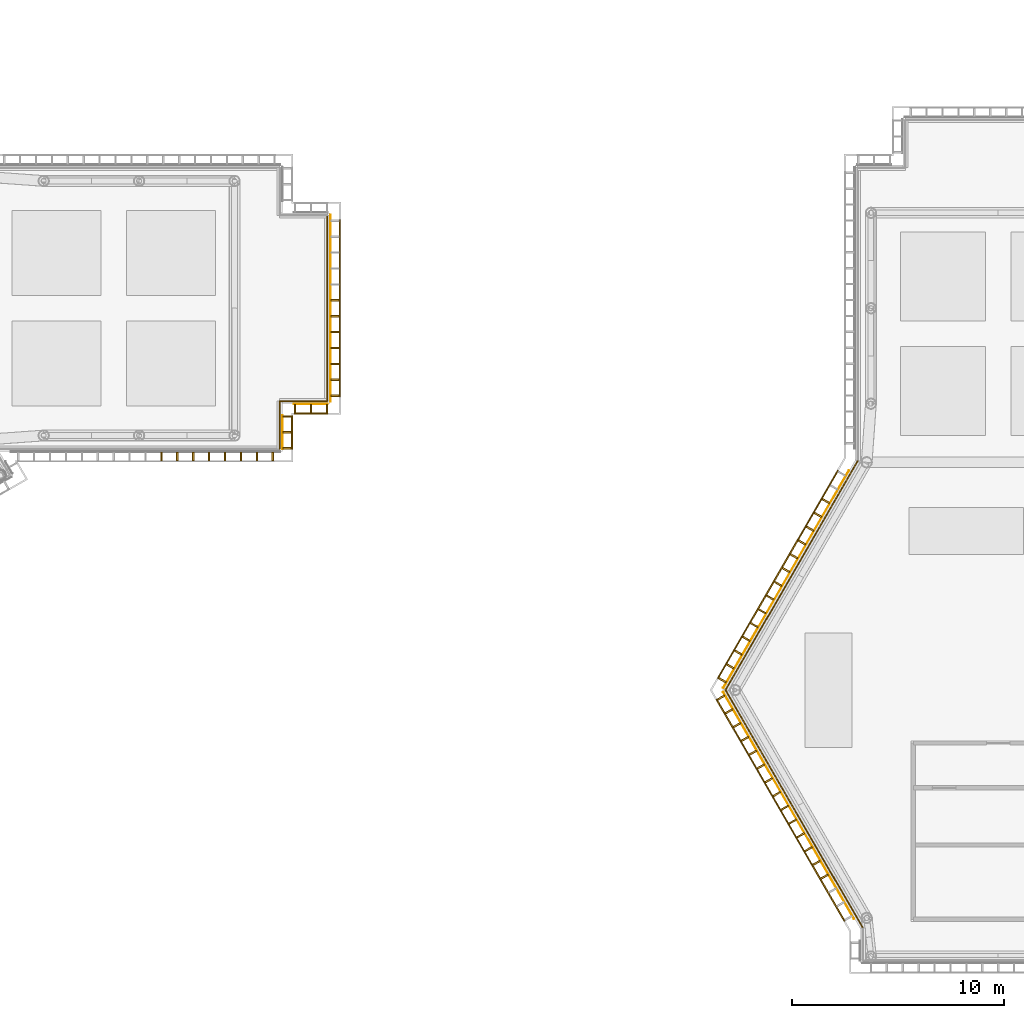
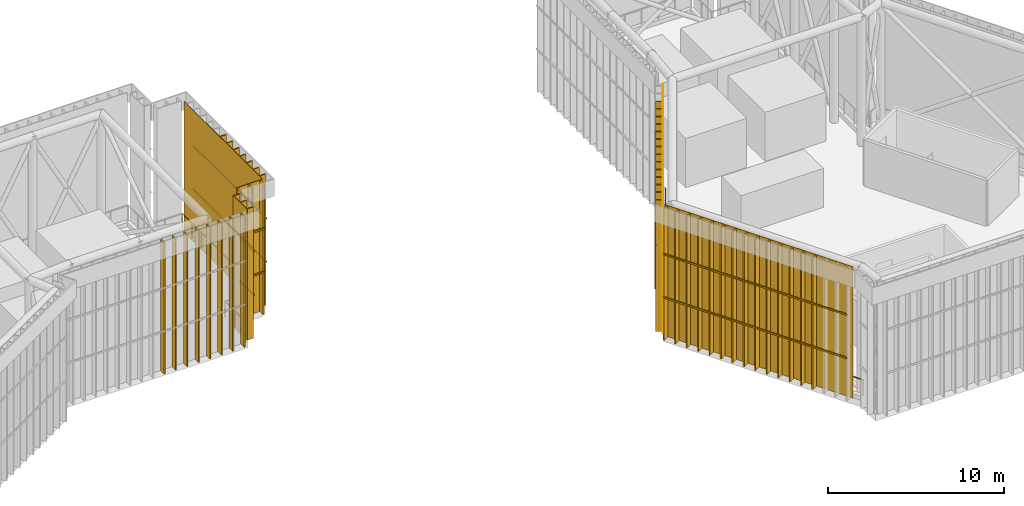
# One storey, part 11 of 17: 64 coverings, 5 railings.
"""IFC4 building model written with IfcOpenShell, lengths in metres."""

from ifc_helpers import new_model, si_unit, direction, frame, origin, origin_2d, place, context, subcontext, project, spatial, rectangle, circle, extrude, material, layer, layer_set, type_object, element, save


model = new_model("IFC4")

# Units and contexts
model_context = context("Model", 3, precision=1e-05, world=origin(), true_north=direction((0.0, 1.0)))
body_context = subcontext(model_context, "Body", "Model", "MODEL_VIEW")
ifc_project = project(units=[si_unit("LENGTHUNIT", "METRE"), si_unit("AREAUNIT", "SQUARE_METRE"), si_unit("VOLUMEUNIT", "CUBIC_METRE"), si_unit("PLANEANGLEUNIT", "RADIAN"), si_unit("MASSUNIT", "GRAM", prefix="KILO")], contexts=[model_context])

# Site, building, storey
site_placement = place(None, origin())
site = spatial("IfcSite", under=ifc_project, at=site_placement, CompositionType="ELEMENT")
building_placement = place(site_placement, origin())
building = spatial("IfcBuilding", under=site, at=building_placement, Name="Upepo Twin Towers", CompositionType="ELEMENT")
storey_placement = place(building_placement, frame((0.0, 0.0, 296.5)))
storey = spatial("IfcBuildingStorey", under=building, at=storey_placement, Name="RF", CompositionType="ELEMENT", Elevation=296.5)

# Coverings
ifc_material_1 = material(Name="Anodised aluminium, pale silver", Category="aluminium")
covering_type_1 = type_object("IfcCoveringType", Name="Crown screen fin 80x400 pale aluminium", PredefinedType="CLADDING", material=ifc_material_1)
for number, where, z_axis, x_axis, name in (
    (1, (19.05126953125, -6.97998046875, 0.0), (0.0, 0.0, 1.0), (1.0, 0.0, 0.0), "T1 crown screen fin 2.10"),
    (2, (19.80126953125, -6.97998046875, 0.0), (0.0, 0.0, 1.0), (1.0, 0.0, 0.0), "T1 crown screen fin 2.11"),
    (3, (20.55126953125, -6.97998046875, 0.0), (0.0, 0.0, 1.0), (1.0, 0.0, 0.0), "T1 crown screen fin 2.12"),
    (4, (21.30126953125, -6.97998046875, 0.0), (0.0, 0.0, 1.0), (1.0, 0.0, 0.0), "T1 crown screen fin 2.13"),
    (5, (22.05126953125, -6.97998046875, 0.0), (0.0, 0.0, 1.0), (1.0, 0.0, 0.0), "T1 crown screen fin 2.14"),
    (6, (22.80126953125, -6.97998046875, 0.0), (0.0, 0.0, 1.0), (1.0, 0.0, 0.0), "T1 crown screen fin 2.15"),
    (7, (23.55126953125, -6.97998046875, 0.0), (0.0, 0.0, 1.0), (1.0, 0.0, 0.0), "T1 crown screen fin 2.16"),
    (8, (24.30126953125, -6.97998046875, 0.0), (0.0, 0.0, 1.0), (1.0, 0.0, 0.0), "T1 crown screen fin 2.17"),
    (9, (24.97998046875, -6.60009765625, 0.0), (0.0, 0.0, 1.0), (0.0, 1.0, 0.0), "T1 crown screen fin 3.1"),
    (10, (24.97998046875, -5.85009765625, 0.0), (0.0, 0.0, 1.0), (0.0, 1.0, 0.0), "T1 crown screen fin 3.2"),
    (11, (24.97998046875, -5.10009765625, 0.0), (0.0, 0.0, 1.0), (0.0, 1.0, 0.0), "T1 crown screen fin 3.3"),
    (12, (25.35009765625, -4.72998046875, 0.0), (0.0, 0.0, 1.0), (1.0, 0.0, 0.0), "T1 crown screen fin 4.1"),
    (13, (26.10009765625, -4.72998046875, 0.0), (0.0, 0.0, 1.0), (1.0, 0.0, 0.0), "T1 crown screen fin 4.2"),
    (14, (26.85009765625, -4.72998046875, 0.0), (0.0, 0.0, 1.0), (1.0, 0.0, 0.0), "T1 crown screen fin 4.3"),
    (15, (27.22998046875, -4.125, 0.0), (0.0, 0.0, 1.0), (0.0, 1.0, 0.0), "T1 crown screen fin 5.1"),
    (16, (27.22998046875, -3.375, 0.0), (0.0, 0.0, 1.0), (0.0, 1.0, 0.0), "T1 crown screen fin 5.2"),
    (17, (27.22998046875, -2.625, 0.0), (0.0, 0.0, 1.0), (0.0, 1.0, 0.0), "T1 crown screen fin 5.3"),
    (18, (27.22998046875, -1.875, 0.0), (0.0, 0.0, 1.0), (0.0, 1.0, 0.0), "T1 crown screen fin 5.4"),
    (19, (27.22998046875, -1.125, 0.0), (0.0, 0.0, 1.0), (0.0, 1.0, 0.0), "T1 crown screen fin 5.5"),
    (20, (27.22998046875, -0.375, 0.0), (0.0, 0.0, 1.0), (0.0, 1.0, 0.0), "T1 crown screen fin 5.6"),
    (21, (27.22998046875, 0.375, 0.0), (0.0, 0.0, 1.0), (0.0, 1.0, 0.0), "T1 crown screen fin 5.7"),
    (22, (50.375732421875, -9.0947265625, 0.0), (0.0, 0.0, 1.0), (-0.499999984885, -0.866025412511, 0.0), "T2 crown screen fin 9.3"),
    (23, (50.000732421875, -9.744384765625, 0.0), (0.0, 0.0, 1.0), (-0.499999984885, -0.866025412511, 0.0), "T2 crown screen fin 9.4"),
    (24, (49.625732421875, -10.393798828125, 0.0), (0.0, 0.0, 1.0), (-0.499999984885, -0.866025412511, 0.0), "T2 crown screen fin 9.5"),
    (25, (49.250732421875, -11.04345703125, 0.0), (0.0, 0.0, 1.0), (-0.499999984885, -0.866025412511, 0.0), "T2 crown screen fin 9.6"),
    (26, (48.875732421875, -11.69287109375, 0.0), (0.0, 0.0, 1.0), (-0.499999984885, -0.866025412511, 0.0), "T2 crown screen fin 9.7"),
    (27, (48.500732421875, -12.342529296875, 0.0), (0.0, 0.0, 1.0), (-0.499999984885, -0.866025412511, 0.0), "T2 crown screen fin 9.8"),
    (28, (48.125732421875, -12.991943359375, 0.0), (0.0, 0.0, 1.0), (-0.499999984885, -0.866025412511, 0.0), "T2 crown screen fin 9.9"),
    (29, (47.750732421875, -13.641357421875, 0.0), (0.0, 0.0, 1.0), (-0.499999984885, -0.866025412511, 0.0), "T2 crown screen fin 9.10"),
    (30, (47.375732421875, -14.291015625, 0.0), (0.0, 0.0, 1.0), (-0.499999984885, -0.866025412511, 0.0), "T2 crown screen fin 9.11"),
    (31, (47.000732421875, -14.9404296875, 0.0), (0.0, 0.0, 1.0), (-0.499999984885, -0.866025412511, 0.0), "T2 crown screen fin 9.12"),
    (32, (46.625732421875, -15.590087890625, 0.0), (0.0, 0.0, 1.0), (-0.499999984885, -0.866025412511, 0.0), "T2 crown screen fin 9.13"),
    (33, (46.250732421875, -16.239501953125, 0.0), (0.0, 0.0, 1.0), (-0.499999984885, -0.866025412511, 0.0), "T2 crown screen fin 9.14"),
    (34, (45.875732421875, -16.88916015625, 0.0), (0.0, 0.0, 1.0), (-0.499999984885, -0.866025412511, 0.0), "T2 crown screen fin 9.15"),
    (35, (45.500732421875, -17.53857421875, 0.0), (0.0, 0.0, 1.0), (-0.499999984885, -0.866025412511, 0.0), "T2 crown screen fin 9.16"),
    (36, (45.438232421875, -18.353271484375, 0.0), (0.0, 0.0, 1.0), (0.500000015115, -0.866025395058, 0.0), "T2 crown screen fin 10.1"),
    (37, (45.813232421875, -19.002685546875, 0.0), (0.0, 0.0, 1.0), (0.500000015115, -0.866025395058, 0.0), "T2 crown screen fin 10.2"),
    (38, (46.188232421875, -19.652099609375, 0.0), (0.0, 0.0, 1.0), (0.500000015115, -0.866025395058, 0.0), "T2 crown screen fin 10.3"),
    (39, (46.563232421875, -20.3017578125, 0.0), (0.0, 0.0, 1.0), (0.500000015115, -0.866025395058, 0.0), "T2 crown screen fin 10.4"),
    (40, (46.938232421875, -20.951171875, 0.0), (0.0, 0.0, 1.0), (0.500000015115, -0.866025395058, 0.0), "T2 crown screen fin 10.5"),
    (41, (47.313232421875, -21.600830078125, 0.0), (0.0, 0.0, 1.0), (0.500000015115, -0.866025395058, 0.0), "T2 crown screen fin 10.6"),
    (42, (47.688232421875, -22.250244140625, 0.0), (0.0, 0.0, 1.0), (0.500000015115, -0.866025395058, 0.0), "T2 crown screen fin 10.7"),
    (43, (48.063232421875, -22.89990234375, 0.0), (0.0, 0.0, 1.0), (0.500000015115, -0.866025395058, 0.0), "T2 crown screen fin 10.8"),
    (44, (48.438232421875, -23.54931640625, 0.0), (0.0, 0.0, 1.0), (0.500000015115, -0.866025395058, 0.0), "T2 crown screen fin 10.9"),
    (45, (48.813232421875, -24.19873046875, 0.0), (0.0, 0.0, 1.0), (0.500000015115, -0.866025395058, 0.0), "T2 crown screen fin 10.10"),
    (46, (49.188232421875, -24.848388671875, 0.0), (0.0, 0.0, 1.0), (0.500000015115, -0.866025395058, 0.0), "T2 crown screen fin 10.11"),
    (47, (49.563232421875, -25.497802734375, 0.0), (0.0, 0.0, 1.0), (0.500000015115, -0.866025395058, 0.0), "T2 crown screen fin 10.12"),
    (48, (49.938232421875, -26.1474609375, 0.0), (0.0, 0.0, 1.0), (0.500000015115, -0.866025395058, 0.0), "T2 crown screen fin 10.13"),
    (49, (50.313232421875, -26.796875, 0.0), (0.0, 0.0, 1.0), (0.500000015115, -0.866025395058, 0.0), "T2 crown screen fin 10.14"),
):
    element("IfcCovering", number, at=place(storey_placement, frame(where, z_axis=z_axis, x_axis=x_axis)), inside=storey, type_object=covering_type_1, Name=name, PredefinedType="CLADDING", context=body_context, shape_type="SweptSolid", body=[
        extrude(rectangle(XDim=0.080078125, YDim=0.39990234375, at=origin_2d()), origin(), (0.0, 0.0, 1.0), 9.10400390625),
    ])
ifc_material_2 = material(Name="Perforated anodised aluminium sheet 3 mm, pale silver, on an aluminium subframe", Category="aluminium")
ifc_layer = layer(ifc_material_2, 0.030029296875)
ifc_layer_set = layer_set([ifc_layer], Name="Crown screen panel 30 perforated aluminium")
covering_type_2 = type_object("IfcCoveringType", Name="Crown screen panel 30 perforated aluminium", PredefinedType="CLADDING", material=ifc_layer_set)
for number, where, z_axis, x_axis, name in (
    (50, (24.764892578125, -5.85009765625, 0.0), (0.0, 0.0, 1.0), (0.0, 1.0, 0.0), "T1 crown screen panel 3"),
    (51, (26.10009765625, -4.514892578125, 0.0), (0.0, 0.0, 1.0), (1.0, 0.0, 0.0), "T1 crown screen panel 4"),
):
    element("IfcCovering", number, at=place(storey_placement, frame(where, z_axis=z_axis, x_axis=x_axis)), inside=storey, type_object=covering_type_2, Name=name, PredefinedType="CLADDING", context=body_context, shape_type="SweptSolid", body=[
        extrude(rectangle(XDim=1.60009765625, YDim=0.030029296875, at=origin_2d()), origin(), (0.0, 0.0, 1.0), 9.10400390625),
    ])
covering_1_placement = place(storey_placement, frame((27.014892578125, 0.0, 0.0), z_axis=(0.0, 0.0, 1.0), x_axis=(0.0, 1.0, 0.0)))
element("IfcCovering", 52, at=covering_1_placement, inside=storey, type_object=covering_type_2, Name="T1 crown screen panel 5", PredefinedType="CLADDING", context=body_context, shape_type="SweptSolid", body=[
    extrude(rectangle(XDim=8.800048828125, YDim=0.030029296875, at=origin_2d()), origin(), (0.0, 0.0, 1.0), 9.10400390625),
])
covering_2_placement = place(storey_placement, frame((48.49951171875, -12.774658203125, 0.0), z_axis=(0.0, 0.0, 1.0), x_axis=(-0.499999984885, -0.866025412511, 0.0)))
element("IfcCovering", 53, at=covering_2_placement, inside=storey, type_object=covering_type_2, Name="T2 crown screen panel 9", PredefinedType="CLADDING", context=body_context, shape_type="SweptSolid", body=[
    extrude(rectangle(XDim=11.85009765625, YDim=0.030029296875, at=origin_2d()), origin(), (0.0, 0.0, 1.0), 9.10400390625),
])
covering_3_placement = place(storey_placement, frame((48.62451171875, -23.44189453125, 0.0), z_axis=(0.0, 0.0, 1.0), x_axis=(0.500000015115, -0.866025395058, 0.0)))
element("IfcCovering", 54, at=covering_3_placement, inside=storey, type_object=covering_type_2, Name="T2 crown screen panel 10", PredefinedType="CLADDING", context=body_context, shape_type="SweptSolid", body=[
    extrude(rectangle(XDim=12.35009765625, YDim=0.030029296875, at=origin_2d()), origin(), (0.0, 0.0, 1.0), 9.10400390625),
])
ifc_material_3 = material(Name="Anodised aluminium, pale silver", Category="aluminium")
covering_type_3 = type_object("IfcCoveringType", Name="Crown screen rail 60x100 pale aluminium", PredefinedType="CLADDING", material=ifc_material_3)
for number, where, z_axis, x_axis, name in (
    (55, (25.2099609375, -5.85009765625, 2.949951171875), (0.0, 0.0, 1.0), (0.0, 1.0, 0.0), "T1 crown screen rail 3.1"),
    (56, (25.2099609375, -5.85009765625, 5.949951171875), (0.0, 0.0, 1.0), (0.0, 1.0, 0.0), "T1 crown screen rail 3.2"),
    (57, (26.10009765625, -4.9599609375, 2.949951171875), (0.0, 0.0, 1.0), (1.0, 0.0, 0.0), "T1 crown screen rail 4.1"),
    (58, (26.10009765625, -4.9599609375, 5.949951171875), (0.0, 0.0, 1.0), (1.0, 0.0, 0.0), "T1 crown screen rail 4.2"),
):
    element("IfcCovering", number, at=place(storey_placement, frame(where, z_axis=z_axis, x_axis=x_axis)), inside=storey, type_object=covering_type_3, Name=name, PredefinedType="CLADDING", context=body_context, shape_type="SweptSolid", body=[
        extrude(rectangle(XDim=1.580078125, YDim=0.06005859375, at=origin_2d()), origin(), (0.0, 0.0, 1.0), 0.10009765625),
    ])
for number, where, z_axis, x_axis, name in (
    (59, (27.4599609375, 0.0, 2.949951171875), (0.0, 0.0, 1.0), (0.0, 1.0, 0.0), "T1 crown screen rail 5.1"),
    (60, (27.4599609375, 0.0, 5.949951171875), (0.0, 0.0, 1.0), (0.0, 1.0, 0.0), "T1 crown screen rail 5.2"),
):
    element("IfcCovering", number, at=place(storey_placement, frame(where, z_axis=z_axis, x_axis=x_axis)), inside=storey, type_object=covering_type_3, Name=name, PredefinedType="CLADDING", context=body_context, shape_type="SweptSolid", body=[
        extrude(rectangle(XDim=8.330078125, YDim=0.06005859375, at=origin_2d()), origin(), (0.0, 0.0, 1.0), 0.10009765625),
    ])
for number, where, z_axis, x_axis, name in (
    (61, (48.114013671875, -12.55224609375, 2.949951171875), (0.0, 0.0, 1.0), (-0.499999984885, -0.866025412511, 0.0), "T2 crown screen rail 9.1"),
    (62, (48.114013671875, -12.55224609375, 5.949951171875), (0.0, 0.0, 1.0), (-0.499999984885, -0.866025412511, 0.0), "T2 crown screen rail 9.2"),
):
    element("IfcCovering", number, at=place(storey_placement, frame(where, z_axis=z_axis, x_axis=x_axis)), inside=storey, type_object=covering_type_3, Name=name, PredefinedType="CLADDING", context=body_context, shape_type="SweptSolid", body=[
        extrude(rectangle(XDim=11.330078125, YDim=0.06005859375, at=origin_2d()), origin(), (0.0, 0.0, 1.0), 0.10009765625),
    ])
for number, where, z_axis, x_axis, name in (
    (63, (48.239013671875, -23.664306640625, 2.949951171875), (0.0, 0.0, 1.0), (0.500000015115, -0.866025395058, 0.0), "T2 crown screen rail 10.1"),
    (64, (48.239013671875, -23.664306640625, 5.949951171875), (0.0, 0.0, 1.0), (0.500000015115, -0.866025395058, 0.0), "T2 crown screen rail 10.2"),
):
    element("IfcCovering", number, at=place(storey_placement, frame(where, z_axis=z_axis, x_axis=x_axis)), inside=storey, type_object=covering_type_3, Name=name, PredefinedType="CLADDING", context=body_context, shape_type="SweptSolid", body=[
        extrude(rectangle(XDim=12.080078125, YDim=0.06005859375, at=origin_2d()), origin(), (0.0, 0.0, 1.0), 0.10009765625),
    ])

# Railings
ifc_material_4 = material(Name="Galvanised steel S275", Category="steel")
railing_type = type_object("IfcRailingType", Name="Roof edge guardrail 1100 steel", PredefinedType="GUARDRAIL", material=ifc_material_4)
railing_1_placement = place(storey_placement, frame((26.875, 4.375, 0.300048828125)))
element("IfcRailing", 65, at=railing_1_placement, inside=storey, type_object=railing_type, Name="T1 roof edge guardrail 12", PredefinedType="GUARDRAIL", context=body_context, shape_type="SweptSolid", body=[
    extrude(circle(Radius=0.02392578125, at=origin_2d()), frame((0.0, 0.0, 1.076171875), z_axis=(0.0, -1.0, 0.0), x_axis=(1.0, 0.0, 0.0)), (0.0, 0.0, 1.0), 8.75),
    extrude(circle(Radius=0.02099609375, at=origin_2d()), origin(), (0.0, 0.0, 1.0), 1.052001953125),
    extrude(circle(Radius=0.02099609375, at=origin_2d()), frame((0.0, -1.09375, 0.0)), (0.0, 0.0, 1.0), 1.052001953125),
    extrude(circle(Radius=0.02099609375, at=origin_2d()), frame((0.0, -2.1875, 0.0)), (0.0, 0.0, 1.0), 1.052001953125),
    extrude(circle(Radius=0.02099609375, at=origin_2d()), frame((0.0, -3.28125, 0.0)), (0.0, 0.0, 1.0), 1.052001953125),
    extrude(circle(Radius=0.02099609375, at=origin_2d()), frame((0.0, -4.375, 0.0)), (0.0, 0.0, 1.0), 1.052001953125),
    extrude(circle(Radius=0.02099609375, at=origin_2d()), frame((0.0, -5.46875, 0.0)), (0.0, 0.0, 1.0), 1.052001953125),
    extrude(circle(Radius=0.02099609375, at=origin_2d()), frame((0.0, -6.5625, 0.0)), (0.0, 0.0, 1.0), 1.052001953125),
    extrude(circle(Radius=0.02099609375, at=origin_2d()), frame((0.0, -7.65625, 0.0)), (0.0, 0.0, 1.0), 1.052001953125),
    extrude(circle(Radius=0.02099609375, at=origin_2d()), frame((0.0, -8.75, 0.0)), (0.0, 0.0, 1.0), 1.052001953125),
])
railing_2_placement = place(storey_placement, frame((26.875, -4.375, 0.300048828125)))
element("IfcRailing", 66, at=railing_2_placement, inside=storey, type_object=railing_type, Name="T1 roof edge guardrail 13", PredefinedType="GUARDRAIL", context=body_context, shape_type="SweptSolid", body=[
    extrude(circle(Radius=0.02392578125, at=origin_2d()), frame((0.0, 0.0, 1.076171875), z_axis=(-1.0, 0.0, 0.0), x_axis=(0.0, -1.0, 0.0)), (0.0, 0.0, 1.0), 2.25),
    extrude(circle(Radius=0.02099609375, at=origin_2d()), origin(), (0.0, 0.0, 1.0), 1.052001953125),
    extrude(circle(Radius=0.02099609375, at=origin_2d()), frame((-1.125, 0.0, 0.0)), (0.0, 0.0, 1.0), 1.052001953125),
    extrude(circle(Radius=0.02099609375, at=origin_2d()), frame((-2.25, 0.0, 0.0)), (0.0, 0.0, 1.0), 1.052001953125),
])
railing_3_placement = place(storey_placement, frame((24.625, -4.375, 0.300048828125)))
element("IfcRailing", 67, at=railing_3_placement, inside=storey, type_object=railing_type, Name="T1 roof edge guardrail 14", PredefinedType="GUARDRAIL", context=body_context, shape_type="SweptSolid", body=[
    extrude(circle(Radius=0.02392578125, at=origin_2d()), frame((0.0, 0.0, 1.076171875), z_axis=(0.0, -1.0, 0.0), x_axis=(1.0, 0.0, 0.0)), (0.0, 0.0, 1.0), 2.25),
    extrude(circle(Radius=0.02099609375, at=origin_2d()), origin(), (0.0, 0.0, 1.0), 1.052001953125),
    extrude(circle(Radius=0.02099609375, at=origin_2d()), frame((0.0, -1.125, 0.0)), (0.0, 0.0, 1.0), 1.052001953125),
    extrude(circle(Radius=0.02099609375, at=origin_2d()), frame((0.0, -2.25, 0.0)), (0.0, 0.0, 1.0), 1.052001953125),
])
railing_4_placement = place(storey_placement, frame((52.125, -29.224853515625, 0.300048828125)))
element("IfcRailing", 68, at=railing_4_placement, inside=storey, type_object=railing_type, Name="T2 roof edge guardrail 7", PredefinedType="GUARDRAIL", context=body_context, shape_type="SweptSolid", body=[
    extrude(circle(Radius=0.02392578125, at=origin_2d()), frame((0.0, 0.0, 1.076171875), z_axis=(-0.500002354598, 0.866024044353, 0.0), x_axis=(-0.866024044353, -0.500002354598, 0.0)), (0.0, 0.0, 1.0), 12.96142578125),
    extrude(circle(Radius=0.02099609375, at=origin_2d()), origin(), (0.0, 0.0, 1.0), 1.052001953125),
    extrude(circle(Radius=0.02099609375, at=origin_2d()), frame((-0.589111328125, 1.0205078125, 0.0)), (0.0, 0.0, 1.0), 1.052001953125),
    extrude(circle(Radius=0.02099609375, at=origin_2d()), frame((-1.17822265625, 2.040771484375, 0.0)), (0.0, 0.0, 1.0), 1.052001953125),
    extrude(circle(Radius=0.02099609375, at=origin_2d()), frame((-1.767578125, 3.061279296875, 0.0)), (0.0, 0.0, 1.0), 1.052001953125),
    extrude(circle(Radius=0.02099609375, at=origin_2d()), frame((-2.356689453125, 4.081787109375, 0.0)), (0.0, 0.0, 1.0), 1.052001953125),
    extrude(circle(Radius=0.02099609375, at=origin_2d()), frame((-2.94580078125, 5.102294921875, 0.0)), (0.0, 0.0, 1.0), 1.052001953125),
    extrude(circle(Radius=0.02099609375, at=origin_2d()), frame((-3.534912109375, 6.12255859375, 0.0)), (0.0, 0.0, 1.0), 1.052001953125),
    extrude(circle(Radius=0.02099609375, at=origin_2d()), frame((-4.1240234375, 7.14306640625, 0.0)), (0.0, 0.0, 1.0), 1.052001953125),
    extrude(circle(Radius=0.02099609375, at=origin_2d()), frame((-4.713134765625, 8.16357421875, 0.0)), (0.0, 0.0, 1.0), 1.052001953125),
    extrude(circle(Radius=0.02099609375, at=origin_2d()), frame((-5.302490234375, 9.18408203125, 0.0)), (0.0, 0.0, 1.0), 1.052001953125),
    extrude(circle(Radius=0.02099609375, at=origin_2d()), frame((-5.8916015625, 10.204345703125, 0.0)), (0.0, 0.0, 1.0), 1.052001953125),
    extrude(circle(Radius=0.02099609375, at=origin_2d()), frame((-6.480712890625, 11.224853515625, 0.0)), (0.0, 0.0, 1.0), 1.052001953125),
])
railing_5_placement = place(storey_placement, frame((45.644287109375, -18.0, 0.300048828125)))
element("IfcRailing", 69, at=railing_5_placement, inside=storey, type_object=railing_type, Name="T2 roof edge guardrail 8", PredefinedType="GUARDRAIL", context=body_context, shape_type="SweptSolid", body=[
    extrude(circle(Radius=0.02392578125, at=origin_2d()), frame((0.0, 0.0, 1.076171875), z_axis=(0.500005672603, 0.866022128681, 0.0), x_axis=(-0.866022128681, 0.500005672603, 0.0)), (0.0, 0.0, 1.0), 12.461181640625),
    extrude(circle(Radius=0.02099609375, at=origin_2d()), origin(), (0.0, 0.0, 1.0), 1.052001953125),
    extrude(circle(Radius=0.02099609375, at=origin_2d()), frame((0.56640625, 0.98095703125, 0.0)), (0.0, 0.0, 1.0), 1.052001953125),
    extrude(circle(Radius=0.02099609375, at=origin_2d()), frame((1.1328125, 1.962158203125, 0.0)), (0.0, 0.0, 1.0), 1.052001953125),
    extrude(circle(Radius=0.02099609375, at=origin_2d()), frame((1.69921875, 2.943115234375, 0.0)), (0.0, 0.0, 1.0), 1.052001953125),
    extrude(circle(Radius=0.02099609375, at=origin_2d()), frame((2.265625, 3.92431640625, 0.0)), (0.0, 0.0, 1.0), 1.052001953125),
    extrude(circle(Radius=0.02099609375, at=origin_2d()), frame((2.83203125, 4.9052734375, 0.0)), (0.0, 0.0, 1.0), 1.052001953125),
    extrude(circle(Radius=0.02099609375, at=origin_2d()), frame((3.398681640625, 5.886474609375, 0.0)), (0.0, 0.0, 1.0), 1.052001953125),
    extrude(circle(Radius=0.02099609375, at=origin_2d()), frame((3.965087890625, 6.867431640625, 0.0)), (0.0, 0.0, 1.0), 1.052001953125),
    extrude(circle(Radius=0.02099609375, at=origin_2d()), frame((4.531494140625, 7.8486328125, 0.0)), (0.0, 0.0, 1.0), 1.052001953125),
    extrude(circle(Radius=0.02099609375, at=origin_2d()), frame((5.097900390625, 8.82958984375, 0.0)), (0.0, 0.0, 1.0), 1.052001953125),
    extrude(circle(Radius=0.02099609375, at=origin_2d()), frame((5.664306640625, 9.810791015625, 0.0)), (0.0, 0.0, 1.0), 1.052001953125),
    extrude(circle(Radius=0.02099609375, at=origin_2d()), frame((6.230712890625, 10.791748046875, 0.0)), (0.0, 0.0, 1.0), 1.052001953125),
])

save(model, "model.ifc")
